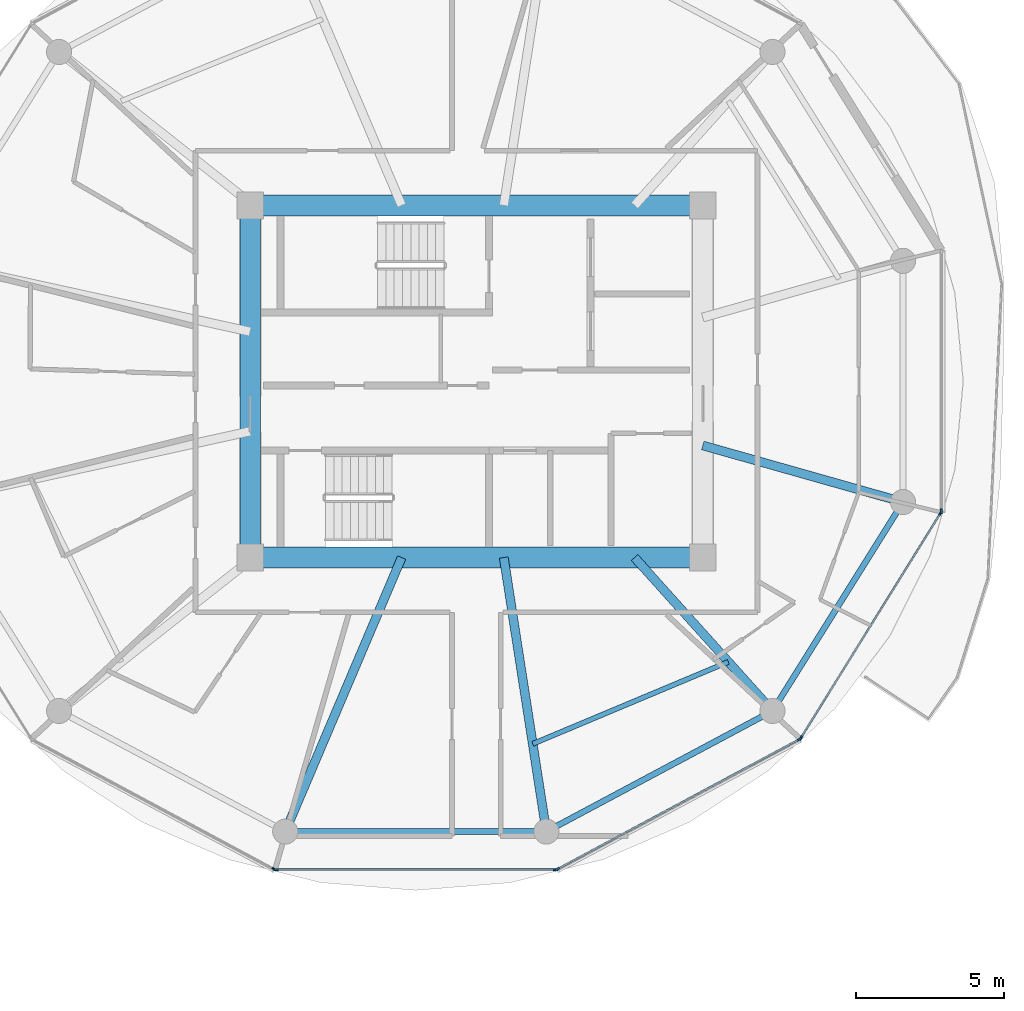
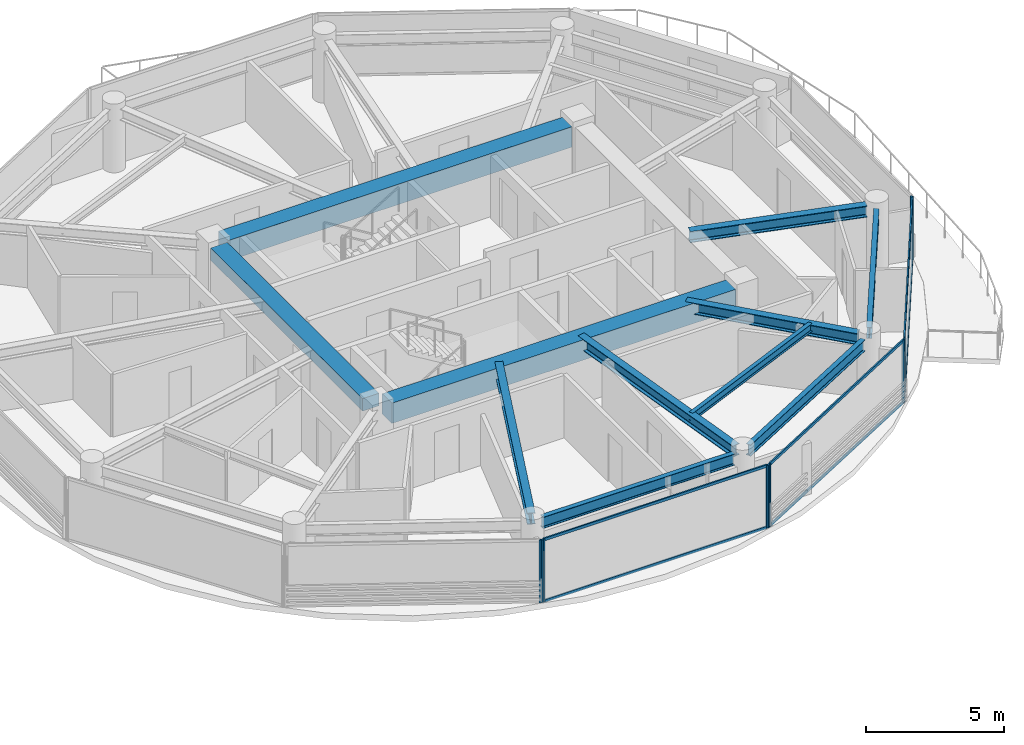
# One storey, part 10 of 24: 14 members, 11 beams, 5 elements without a shape of their own.
"""IFC4 building model written with IfcOpenShell, lengths in metres."""

from ifc_helpers import new_model, si_unit, direction, frame, origin, origin_2d, place, context, subcontext, project, spatial, rectangle, i_section, extrude, source, transform, mapped, material, layer, layer_set, material_profile, profile_set, type_object, type_shapes, element, aggregate, save


model = new_model("IFC4")

# Units and contexts
model_context = context("Model", 3, precision=1e-05, world=origin(), true_north=direction((0.0, 1.0)))
body_context = subcontext(model_context, "Body", "Model", "MODEL_VIEW")
ifc_project = project(units=[si_unit("LENGTHUNIT", "METRE"), si_unit("AREAUNIT", "SQUARE_METRE"), si_unit("VOLUMEUNIT", "CUBIC_METRE"), si_unit("PLANEANGLEUNIT", "RADIAN"), si_unit("MASSUNIT", "GRAM", prefix="KILO")], contexts=[model_context])

# Site, building, storey
site_placement = place(None, origin())
site = spatial("IfcSite", under=ifc_project, at=site_placement, CompositionType="ELEMENT")
building_placement = place(site_placement, origin())
building = spatial("IfcBuilding", under=site, at=building_placement, Name="Norrkilde Senior Care Towers", CompositionType="ELEMENT")
storey_placement = place(building_placement, frame((0.0, 0.0, 102.35009765625)))
storey = spatial("IfcBuildingStorey", under=building, at=storey_placement, Name="L31", CompositionType="ELEMENT", Elevation=102.35009765625)

# Beams
ifc_material_1 = material(Name="Concrete C60/75", Category="concrete")
ifc_material_profile_1 = material_profile(ifc_material_1, rectangle(XDim=0.699951171875, YDim=0.89990234375, at=origin_2d()), Name="RC BM 700x900")
ifc_profile_set_1 = profile_set([ifc_material_profile_1], Name="Concrete C60/75")
beam_type_1 = type_object("IfcBeamType", Name="Core Coupling Girder 700x900", PredefinedType="USERDEFINED", material=ifc_profile_set_1)
shared_shape_1 = source(origin(), body_context, "Body", "SweptSolid", [
    extrude(rectangle(XDim=0.699951171875, YDim=0.89990234375, at=origin_2d()), origin(), (0.0, 0.0, 1.0), 14.43994140625),
])
type_shapes(beam_type_1, [shared_shape_1])
for number, where, z_axis, x_axis, name in (
    (1, (20.780029296875, 5.949951171875, 2.33984375), (1.0, 0.0, 0.0), (0.0, 1.0, 0.0), "L31 Core E N Coupling Girder"),
    (2, (20.780029296875, -5.949951171875, 2.33984375), (1.0, 0.0, 0.0), (0.0, 1.0, 0.0), "L31 Core E S Coupling Girder"),
):
    element("IfcBeam", number, at=place(storey_placement, frame(where, z_axis=z_axis, x_axis=x_axis)), inside=storey, type_object=beam_type_1, Name=name, ObjectType="GIRDER", PredefinedType="USERDEFINED", context=body_context, shape_type="MappedRepresentation", body=[
        mapped(shared_shape_1, transform((0.0, 0.0, 0.0), x_axis=(1.0, 0.0, 0.0), y_axis=(0.0, 1.0, 0.0), z_axis=(0.0, 0.0, 1.0), scale=1.0)),
    ])
ifc_material_profile_2 = material_profile(ifc_material_1, rectangle(XDim=0.699951171875, YDim=0.550048828125, at=origin_2d()), Name="RC BM 700x550")
ifc_profile_set_2 = profile_set([ifc_material_profile_2], Name="Concrete C60/75")
beam_type_2 = type_object("IfcBeamType", Name="Core Portal Coupling Beam 700x550", PredefinedType="USERDEFINED", material=ifc_profile_set_2)
shared_shape_2 = source(origin(), body_context, "Body", "SweptSolid", [
    extrude(rectangle(XDim=0.699951171875, YDim=0.550048828125, at=origin_2d()), origin(), (0.0, 0.0, 1.0), 11.0400390625),
])
type_shapes(beam_type_2, [shared_shape_2])
beam_1_placement = place(storey_placement, frame((20.35009765625, -5.52001953125, 2.514892578125), z_axis=(0.0, 1.0, 0.0), x_axis=(-1.0, 0.0, 0.0)))
element("IfcBeam", 3, at=beam_1_placement, inside=storey, type_object=beam_type_2, Name="L31 Core E W Coupling Girder", ObjectType="GIRDER", PredefinedType="USERDEFINED", context=body_context, shape_type="MappedRepresentation", body=[
    mapped(shared_shape_2, transform((0.0, 0.0, 0.0), x_axis=(1.0, 0.0, 0.0), y_axis=(0.0, 1.0, 0.0), z_axis=(0.0, 0.0, 1.0), scale=1.0)),
])
ifc_material_2 = material(Name="Steel S355", Category="steel")
ifc_material_profile_3 = material_profile(ifc_material_2, i_section(OverallWidth=0.199951171875, OverallDepth=0.5, WebThickness=0.01025390625, FlangeThickness=0.01611328125, FilletRadius=0.02099609375, at=origin_2d()), Name="IPE 500")
ifc_profile_set_3 = profile_set([ifc_material_profile_3], Name="Steel S355")
beam_type_3 = type_object("IfcBeamType", Name="Perimeter Ring Spandrel Z2 IPE500", PredefinedType="SPANDREL", material=ifc_profile_set_3)
shared_shape_3 = source(origin(), body_context, "Body", "SweptSolid", [
    extrude(i_section(OverallWidth=0.199951171875, OverallDepth=0.5, WebThickness=0.01025390625, FlangeThickness=0.01611328125, FilletRadius=0.02099609375, at=origin_2d()), origin(), (0.0, 0.0, 1.0), 7.892333984375),
])
beam_2_placement = place(storey_placement, frame((30.70263671875, -15.0322265625, 2.539794921875), z_axis=(0.882350372282, 0.47059305194, 0.0), x_axis=(-0.47059305194, 0.882350372282, 0.0)))
element("IfcBeam", 4, at=beam_2_placement, inside=storey, type_object=beam_type_3, Name="L31 Drum E Perimeter Spandrel 10", PredefinedType="SPANDREL", context=body_context, shape_type="MappedRepresentation", body=[
    mapped(shared_shape_3, transform((0.0, 0.0, 0.0), x_axis=(1.0, 0.0, 0.0), y_axis=(0.0, 1.0, 0.0), z_axis=(0.0, 0.0, 1.0), scale=1.0)),
])
shared_shape_4 = source(origin(), body_context, "Body", "SweptSolid", [
    extrude(i_section(OverallWidth=0.199951171875, OverallDepth=0.5, WebThickness=0.01025390625, FlangeThickness=0.01611328125, FilletRadius=0.02099609375, at=origin_2d()), origin(), (0.0, 0.0, 1.0), 8.0556640625),
])
beam_3_placement = place(storey_placement, frame((21.922119140625, -15.21337890625, 2.539794921875), z_axis=(1.0, 0.0, 0.0), x_axis=(0.0, 1.0, 0.0)))
element("IfcBeam", 5, at=beam_3_placement, inside=storey, type_object=beam_type_3, Name="L31 Drum E Perimeter Spandrel 09", PredefinedType="SPANDREL", context=body_context, shape_type="MappedRepresentation", body=[
    mapped(shared_shape_4, transform((0.0, 0.0, 0.0), x_axis=(1.0, 0.0, 0.0), y_axis=(0.0, 1.0, 0.0), z_axis=(0.0, 0.0, 1.0), scale=1.0)),
])
ifc_material_profile_4 = material_profile(ifc_material_2, i_section(OverallWidth=0.300048828125, OverallDepth=0.5, WebThickness=0.014404296875, FlangeThickness=0.028076171875, FilletRadius=0.027099609375, at=origin_2d()), Name="HEB 500")
ifc_profile_set_4 = profile_set([ifc_material_profile_4], Name="Steel S355")
beam_type_4 = type_object("IfcBeamType", Name="Radial Floor Beam Z2 HEB500", PredefinedType="BEAM", material=ifc_profile_set_4)
shared_shape_5 = source(origin(), body_context, "Body", "SweptSolid", [
    extrude(i_section(OverallWidth=0.300048828125, OverallDepth=0.5, WebThickness=0.014404296875, FlangeThickness=0.028076171875, FilletRadius=0.027099609375, at=origin_2d()), origin(), (0.0, 0.0, 1.0), 9.679443359375),
])
beam_4_placement = place(storey_placement, frame((25.472412109375, -5.949951171875, 2.539794921875), z_axis=(-0.390998033479, -0.920391513333, 0.0), x_axis=(0.920391513333, -0.390998033479, 0.0)))
element("IfcBeam", 6, at=beam_4_placement, inside=storey, type_object=beam_type_4, Name="L31 Drum E Radial Floor Beam 09", PredefinedType="BEAM", context=body_context, shape_type="MappedRepresentation", body=[
    mapped(shared_shape_5, transform((0.0, 0.0, 0.0), x_axis=(1.0, 0.0, 0.0), y_axis=(0.0, 1.0, 0.0), z_axis=(0.0, 0.0, 1.0), scale=1.0)),
])
shared_shape_6 = source(origin(), body_context, "Body", "SweptSolid", [
    extrude(i_section(OverallWidth=0.300048828125, OverallDepth=0.5, WebThickness=0.014404296875, FlangeThickness=0.028076171875, FilletRadius=0.027099609375, at=origin_2d()), origin(), (0.0, 0.0, 1.0), 8.989501953125),
])
beam_5_placement = place(storey_placement, frame((28.924072265625, -5.949951171875, 2.539794921875), z_axis=(0.153471298636, -0.988153105796, 0.0), x_axis=(0.988153105796, 0.153471298636, 0.0)))
element("IfcBeam", 7, at=beam_5_placement, inside=storey, type_object=beam_type_4, Name="L31 Drum E Radial Floor Beam 10", PredefinedType="BEAM", context=body_context, shape_type="MappedRepresentation", body=[
    mapped(shared_shape_6, transform((0.0, 0.0, 0.0), x_axis=(1.0, 0.0, 0.0), y_axis=(0.0, 1.0, 0.0), z_axis=(0.0, 0.0, 1.0), scale=1.0)),
])
shared_shape_7 = source(origin(), body_context, "Body", "SweptSolid", [
    extrude(i_section(OverallWidth=0.199951171875, OverallDepth=0.5, WebThickness=0.01025390625, FlangeThickness=0.01611328125, FilletRadius=0.02099609375, at=origin_2d()), origin(), (0.0, 0.0, 1.0), 7.556396484375),
])
type_shapes(beam_type_3, [shared_shape_3, shared_shape_4, shared_shape_7])
beam_6_placement = place(storey_placement, frame((38.210205078125, -10.810546875, 2.539794921875), z_axis=(0.530004748437, 0.847994673706, 0.0), x_axis=(-0.847994673706, 0.530004748437, 0.0)))
element("IfcBeam", 8, at=beam_6_placement, inside=storey, type_object=beam_type_3, Name="L31 Drum E Perimeter Spandrel 11", PredefinedType="SPANDREL", context=body_context, shape_type="MappedRepresentation", body=[
    mapped(shared_shape_7, transform((0.0, 0.0, 0.0), x_axis=(1.0, 0.0, 0.0), y_axis=(0.0, 1.0, 0.0), z_axis=(0.0, 0.0, 1.0), scale=1.0)),
])
shared_shape_8 = source(origin(), body_context, "Body", "SweptSolid", [
    extrude(i_section(OverallWidth=0.300048828125, OverallDepth=0.5, WebThickness=0.014404296875, FlangeThickness=0.028076171875, FilletRadius=0.027099609375, at=origin_2d()), origin(), (0.0, 0.0, 1.0), 6.587890625),
])
beam_7_placement = place(storey_placement, frame((33.345947265625, -5.949951171875, 2.539794921875), z_axis=(0.668315438605, -0.743877997068, 0.0), x_axis=(0.743877997068, 0.668315438605, 0.0)))
element("IfcBeam", 9, at=beam_7_placement, inside=storey, type_object=beam_type_4, Name="L31 Drum E Radial Floor Beam 11", PredefinedType="BEAM", context=body_context, shape_type="MappedRepresentation", body=[
    mapped(shared_shape_8, transform((0.0, 0.0, 0.0), x_axis=(1.0, 0.0, 0.0), y_axis=(0.0, 1.0, 0.0), z_axis=(0.0, 0.0, 1.0), scale=1.0)),
])
shared_shape_9 = source(origin(), body_context, "Body", "SweptSolid", [
    extrude(i_section(OverallWidth=0.300048828125, OverallDepth=0.5, WebThickness=0.014404296875, FlangeThickness=0.028076171875, FilletRadius=0.027099609375, at=origin_2d()), origin(), (0.0, 0.0, 1.0), 6.6494140625),
])
type_shapes(beam_type_4, [shared_shape_5, shared_shape_6, shared_shape_8, shared_shape_9])
beam_8_placement = place(storey_placement, frame((35.64990234375, -2.162841796875, 2.539794921875), z_axis=(0.962289138357, -0.27202870106, 0.0), x_axis=(0.27202870106, 0.962289138357, 0.0)))
element("IfcBeam", 10, at=beam_8_placement, inside=storey, type_object=beam_type_4, Name="L31 Drum E Radial Floor Beam 12", PredefinedType="BEAM", context=body_context, shape_type="MappedRepresentation", body=[
    mapped(shared_shape_9, transform((0.0, 0.0, 0.0), x_axis=(1.0, 0.0, 0.0), y_axis=(0.0, 1.0, 0.0), z_axis=(0.0, 0.0, 1.0), scale=1.0)),
])
ifc_material_profile_5 = material_profile(ifc_material_2, i_section(OverallWidth=0.169921875, OverallDepth=0.360107421875, WebThickness=0.008056640625, FlangeThickness=0.0126953125, FilletRadius=0.01806640625, at=origin_2d()), Name="IPE 360")
ifc_profile_set_5 = profile_set([ifc_material_profile_5], Name="Steel S355")
beam_type_5 = type_object("IfcBeamType", Name="Secondary Floor Joist IPE360", PredefinedType="JOIST", material=ifc_profile_set_5)
shared_shape_10 = source(origin(), body_context, "Body", "SweptSolid", [
    extrude(i_section(OverallWidth=0.169921875, OverallDepth=0.360107421875, WebThickness=0.008056640625, FlangeThickness=0.0126953125, FilletRadius=0.01806640625, at=origin_2d()), origin(), (0.0, 0.0, 1.0), 7.169921875),
])
type_shapes(beam_type_5, [shared_shape_10])
beam_9_placement = place(storey_placement, frame((29.902587890625, -12.2490234375, 2.60986328125), z_axis=(0.922240600393, 0.386616444279, 0.0), x_axis=(-0.386616444279, 0.922240600393, 0.0)))
element("IfcBeam", 11, at=beam_9_placement, inside=storey, type_object=beam_type_5, Name="L31 Drum E Secondary Floor Joist 4", PredefinedType="JOIST", context=body_context, shape_type="MappedRepresentation", body=[
    mapped(shared_shape_10, transform((0.0, 0.0, 0.0), x_axis=(1.0, 0.0, 0.0), y_axis=(0.0, 1.0, 0.0), z_axis=(0.0, 0.0, 1.0), scale=1.0)),
])

# Curtain wall, member
ifc_material_3 = material(Name="Triple Low-E Insulated Glazing", Category="glass")
ifc_layer = layer(ifc_material_3, 0.195068359375)
ifc_layer_set = layer_set([ifc_layer], Name="Triple Low-E Insulated Glazing")
curtain_wall_type = type_object("IfcCurtainWallType", Name="CW3 Zone 2 Assisted Living Curtain Wall", PredefinedType="NOTDEFINED", material=ifc_layer_set)
curtain_wall_1_placement = place(storey_placement, origin())
curtain_wall_1 = element("IfcCurtainWall", 12, at=curtain_wall_1_placement, inside=storey, type_object=curtain_wall_type, Name="L31 Drum E Curtain Wall 07", PredefinedType="NOTDEFINED")
ifc_material_4 = material(Name="Anodised Aluminium", Category="aluminium")
ifc_material_profile_6 = material_profile(ifc_material_4, rectangle(XDim=0.06494140625, YDim=0.159912109375, at=origin_2d()), Name="ALU MULL 65x160")
ifc_profile_set_6 = profile_set([ifc_material_profile_6], Name="Anodised Aluminium")
member_type_1 = type_object("IfcMemberType", Name="Curtain Wall Mullion Z1-Z2 65x160", PredefinedType="MULLION", material=ifc_profile_set_6)
shared_shape_11 = source(origin(), body_context, "Body", "SweptSolid", [
    extrude(rectangle(XDim=0.06494140625, YDim=0.159912109375, at=origin_2d()), origin(), (0.0, 0.0, 1.0), 2.789794921875),
])
type_shapes(member_type_1, [shared_shape_11])
member_1_placement = place(storey_placement, frame((21.164306640625, -16.482666015625, 0.0), z_axis=(0.0, 0.0, 1.0), x_axis=(-0.472769402511, -0.881186184668, 0.0)))
member_1 = element("IfcMember", 13, at=member_1_placement, type_object=member_type_1, Name="CW-3 mullion 1", PredefinedType="MULLION", context=body_context, shape_type="MappedRepresentation", body=[
    mapped(shared_shape_11, transform((0.0, 0.0, 0.0), x_axis=(1.0, 0.0, 0.0), y_axis=(0.0, 1.0, 0.0), z_axis=(0.0, 0.0, 1.0), scale=1.0)),
])
aggregate(curtain_wall_1, [member_1])

# Curtain wall, members
curtain_wall_2_placement = place(storey_placement, origin())
curtain_wall_2 = element("IfcCurtainWall", 14, at=curtain_wall_2_placement, inside=storey, type_object=curtain_wall_type, Name="L31 Drum E Curtain Wall 08", PredefinedType="NOTDEFINED")
member_2_placement = place(storey_placement, frame((30.674560546875, -16.498046875, 0.0), z_axis=(0.0, 0.0, 1.0), x_axis=(0.0, -1.0, 0.0)))
member_2 = element("IfcMember", 15, at=member_2_placement, type_object=member_type_1, Name="CW-3 mullion 1", PredefinedType="MULLION", context=body_context, shape_type="MappedRepresentation", body=[
    mapped(shared_shape_11, transform((0.0, 0.0, 0.0), x_axis=(1.0, 0.0, 0.0), y_axis=(0.0, 1.0, 0.0), z_axis=(0.0, 0.0, 1.0), scale=1.0)),
])
member_3_placement = place(storey_placement, frame((21.225341796875, -16.498046875, 0.0), z_axis=(0.0, 0.0, 1.0), x_axis=(0.0, -1.0, 0.0)))
member_3 = element("IfcMember", 16, at=member_3_placement, type_object=member_type_1, Name="CW-3 mullion 2", PredefinedType="MULLION", context=body_context, shape_type="MappedRepresentation", body=[
    mapped(shared_shape_11, transform((0.0, 0.0, 0.0), x_axis=(1.0, 0.0, 0.0), y_axis=(0.0, 1.0, 0.0), z_axis=(0.0, 0.0, 1.0), scale=1.0)),
])

curtain_wall_3_placement = place(storey_placement, origin())
curtain_wall_3 = element("IfcCurtainWall", 17, at=curtain_wall_3_placement, inside=storey, type_object=curtain_wall_type, Name="L31 Drum E Curtain Wall 09", PredefinedType="NOTDEFINED")
member_4_placement = place(storey_placement, frame((38.91796875, -12.0927734375, 0.0), z_axis=(0.0, 0.0, 1.0), x_axis=(0.472769402511, -0.881186184668, 0.0)))
member_4 = element("IfcMember", 18, at=member_4_placement, type_object=member_type_1, Name="CW-3 mullion 1", PredefinedType="MULLION", context=body_context, shape_type="MappedRepresentation", body=[
    mapped(shared_shape_11, transform((0.0, 0.0, 0.0), x_axis=(1.0, 0.0, 0.0), y_axis=(0.0, 1.0, 0.0), z_axis=(0.0, 0.0, 1.0), scale=1.0)),
])
member_5_placement = place(storey_placement, frame((30.73583984375, -16.482666015625, 0.0), z_axis=(0.0, 0.0, 1.0), x_axis=(0.472769402511, -0.881186184668, 0.0)))
member_5 = element("IfcMember", 19, at=member_5_placement, type_object=member_type_1, Name="CW-3 mullion 2", PredefinedType="MULLION", context=body_context, shape_type="MappedRepresentation", body=[
    mapped(shared_shape_11, transform((0.0, 0.0, 0.0), x_axis=(1.0, 0.0, 0.0), y_axis=(0.0, 1.0, 0.0), z_axis=(0.0, 0.0, 1.0), scale=1.0)),
])

curtain_wall_4_placement = place(storey_placement, origin())
curtain_wall_4 = element("IfcCurtainWall", 20, at=curtain_wall_4_placement, inside=storey, type_object=curtain_wall_type, Name="L31 Drum E Curtain Wall 10", PredefinedType="NOTDEFINED")
member_6_placement = place(storey_placement, frame((43.6865234375, -4.4482421875, 0.0), z_axis=(0.0, 0.0, 1.0), x_axis=(0.849410171862, -0.527733228002, 0.0)))
member_6 = element("IfcMember", 21, at=member_6_placement, type_object=member_type_1, Name="CW-3 mullion 1", PredefinedType="MULLION", context=body_context, shape_type="MappedRepresentation", body=[
    mapped(shared_shape_11, transform((0.0, 0.0, 0.0), x_axis=(1.0, 0.0, 0.0), y_axis=(0.0, 1.0, 0.0), z_axis=(0.0, 0.0, 1.0), scale=1.0)),
])
member_7_placement = place(storey_placement, frame((38.9638671875, -12.0498046875, 0.0), z_axis=(0.0, 0.0, 1.0), x_axis=(0.849410171862, -0.527733228002, 0.0)))
member_7 = element("IfcMember", 22, at=member_7_placement, type_object=member_type_1, Name="CW-3 mullion 2", PredefinedType="MULLION", context=body_context, shape_type="MappedRepresentation", body=[
    mapped(shared_shape_11, transform((0.0, 0.0, 0.0), x_axis=(1.0, 0.0, 0.0), y_axis=(0.0, 1.0, 0.0), z_axis=(0.0, 0.0, 1.0), scale=1.0)),
])

# Curtain wall, member
curtain_wall_5_placement = place(storey_placement, origin())
curtain_wall_5 = element("IfcCurtainWall", 23, at=curtain_wall_5_placement, inside=storey, type_object=curtain_wall_type, Name="L31 Drum E Curtain Wall 11", PredefinedType="NOTDEFINED")
member_8_placement = place(storey_placement, frame((43.70361328125, -4.38818359375, 0.0), z_axis=(0.0, 0.0, 1.0), x_axis=(1.0, 0.0, 0.0)))
member_8 = element("IfcMember", 24, at=member_8_placement, type_object=member_type_1, Name="CW-3 mullion 2", PredefinedType="MULLION", context=body_context, shape_type="MappedRepresentation", body=[
    mapped(shared_shape_11, transform((0.0, 0.0, 0.0), x_axis=(1.0, 0.0, 0.0), y_axis=(0.0, 1.0, 0.0), z_axis=(0.0, 0.0, 1.0), scale=1.0)),
])
aggregate(curtain_wall_5, [member_8])

# Member
ifc_material_profile_7 = material_profile(ifc_material_4, rectangle(XDim=0.06005859375, YDim=0.1201171875, at=origin_2d()), Name="ALU TRAN 60x120")
ifc_profile_set_7 = profile_set([ifc_material_profile_7], Name="Anodised Aluminium")
member_type_2 = type_object("IfcMemberType", Name="Curtain Wall Transom Typical 60x120", PredefinedType="USERDEFINED", material=ifc_profile_set_7)
shared_shape_12 = source(origin(), body_context, "Body", "SweptSolid", [
    extrude(rectangle(XDim=0.06005859375, YDim=0.1201171875, at=origin_2d()), origin(), (0.0, 0.0, 1.0), 8.88427734375),
])
member_9_placement = place(storey_placement, frame((43.66943359375, -4.475830078125, 0.02978515625), z_axis=(-0.527729466743, -0.849412508697, 0.0), x_axis=(0.849412508697, -0.527729466743, 0.0)))
member_9 = element("IfcMember", 25, at=member_9_placement, type_object=member_type_2, Name="CW-3 transom 1.1", ObjectType="TRANSOM", PredefinedType="USERDEFINED", context=body_context, shape_type="MappedRepresentation", body=[
    mapped(shared_shape_12, transform((0.0, 0.0, 0.0), x_axis=(1.0, 0.0, 0.0), y_axis=(0.0, 1.0, 0.0), z_axis=(0.0, 0.0, 1.0), scale=1.0)),
])

member_10_placement = place(storey_placement, frame((43.66943359375, -4.475830078125, 2.760009765625), z_axis=(-0.527729466743, -0.849412508697, 0.0), x_axis=(0.849412508697, -0.527729466743, 0.0)))
member_10 = element("IfcMember", 26, at=member_10_placement, type_object=member_type_2, Name="CW-3 transom 1.2", ObjectType="TRANSOM", PredefinedType="USERDEFINED", context=body_context, shape_type="MappedRepresentation", body=[
    mapped(shared_shape_12, transform((0.0, 0.0, 0.0), x_axis=(1.0, 0.0, 0.0), y_axis=(0.0, 1.0, 0.0), z_axis=(0.0, 0.0, 1.0), scale=1.0)),
])

aggregate(curtain_wall_4, [member_6, member_7, member_9, member_10])

shared_shape_13 = source(origin(), body_context, "Body", "SweptSolid", [
    extrude(rectangle(XDim=0.06005859375, YDim=0.1201171875, at=origin_2d()), origin(), (0.0, 0.0, 1.0), 9.220458984375),
])
member_11_placement = place(storey_placement, frame((38.889404296875, -12.108154296875, 0.02978515625), z_axis=(-0.881188517866, -0.472765053681, 0.0), x_axis=(0.472765053681, -0.881188517866, 0.0)))
member_11 = element("IfcMember", 27, at=member_11_placement, type_object=member_type_2, Name="CW-3 transom 1.1", ObjectType="TRANSOM", PredefinedType="USERDEFINED", context=body_context, shape_type="MappedRepresentation", body=[
    mapped(shared_shape_13, transform((0.0, 0.0, 0.0), x_axis=(1.0, 0.0, 0.0), y_axis=(0.0, 1.0, 0.0), z_axis=(0.0, 0.0, 1.0), scale=1.0)),
])

member_12_placement = place(storey_placement, frame((38.889404296875, -12.108154296875, 2.760009765625), z_axis=(-0.881188517866, -0.472765053681, 0.0), x_axis=(0.472765053681, -0.881188517866, 0.0)))
member_12 = element("IfcMember", 28, at=member_12_placement, type_object=member_type_2, Name="CW-3 transom 1.2", ObjectType="TRANSOM", PredefinedType="USERDEFINED", context=body_context, shape_type="MappedRepresentation", body=[
    mapped(shared_shape_13, transform((0.0, 0.0, 0.0), x_axis=(1.0, 0.0, 0.0), y_axis=(0.0, 1.0, 0.0), z_axis=(0.0, 0.0, 1.0), scale=1.0)),
])

aggregate(curtain_wall_3, [member_4, member_5, member_11, member_12])

shared_shape_14 = source(origin(), body_context, "Body", "SweptSolid", [
    extrude(rectangle(XDim=0.06005859375, YDim=0.1201171875, at=origin_2d()), origin(), (0.0, 0.0, 1.0), 9.38427734375),
])
type_shapes(member_type_2, [shared_shape_12, shared_shape_13, shared_shape_14])
member_13_placement = place(storey_placement, frame((30.64208984375, -16.498046875, 0.02978515625), z_axis=(-1.0, 0.0, 0.0), x_axis=(0.0, -1.0, 0.0)))
member_13 = element("IfcMember", 29, at=member_13_placement, type_object=member_type_2, Name="CW-3 transom 1.1", ObjectType="TRANSOM", PredefinedType="USERDEFINED", context=body_context, shape_type="MappedRepresentation", body=[
    mapped(shared_shape_14, transform((0.0, 0.0, 0.0), x_axis=(1.0, 0.0, 0.0), y_axis=(0.0, 1.0, 0.0), z_axis=(0.0, 0.0, 1.0), scale=1.0)),
])

member_14_placement = place(storey_placement, frame((30.64208984375, -16.498046875, 2.760009765625), z_axis=(-1.0, 0.0, 0.0), x_axis=(0.0, -1.0, 0.0)))
member_14 = element("IfcMember", 30, at=member_14_placement, type_object=member_type_2, Name="CW-3 transom 1.2", ObjectType="TRANSOM", PredefinedType="USERDEFINED", context=body_context, shape_type="MappedRepresentation", body=[
    mapped(shared_shape_14, transform((0.0, 0.0, 0.0), x_axis=(1.0, 0.0, 0.0), y_axis=(0.0, 1.0, 0.0), z_axis=(0.0, 0.0, 1.0), scale=1.0)),
])

aggregate(curtain_wall_2, [member_2, member_3, member_13, member_14])

save(model, "model.ifc")
